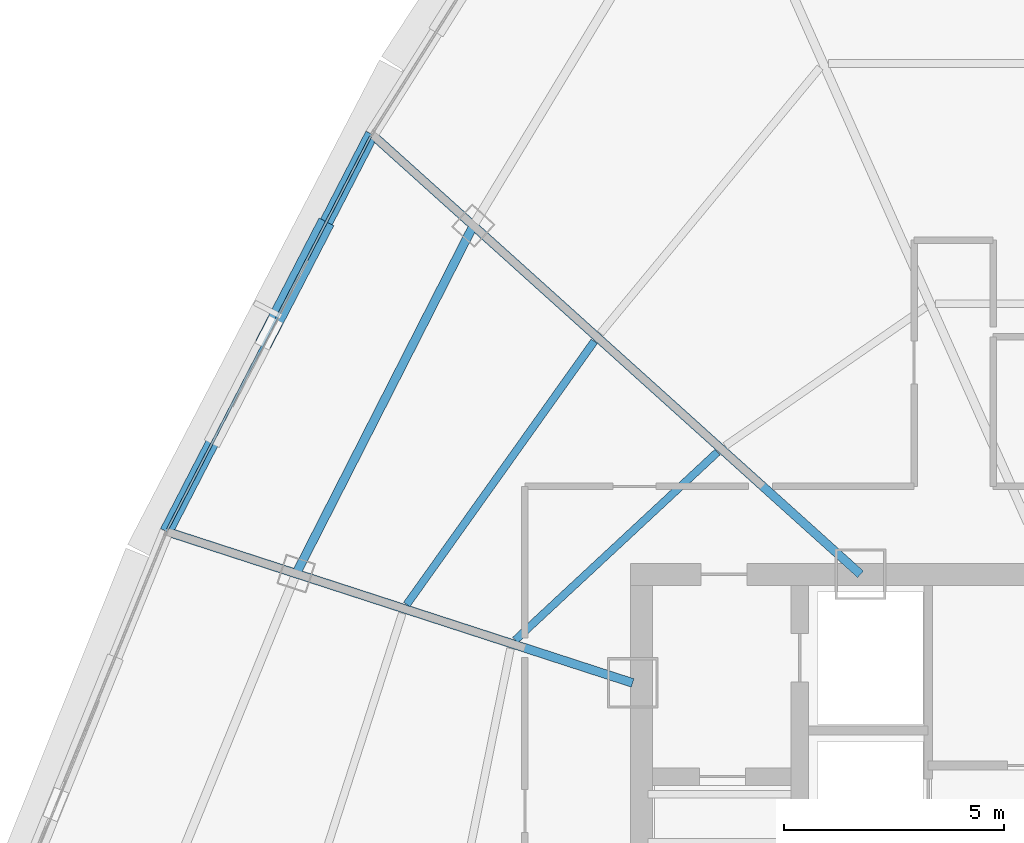
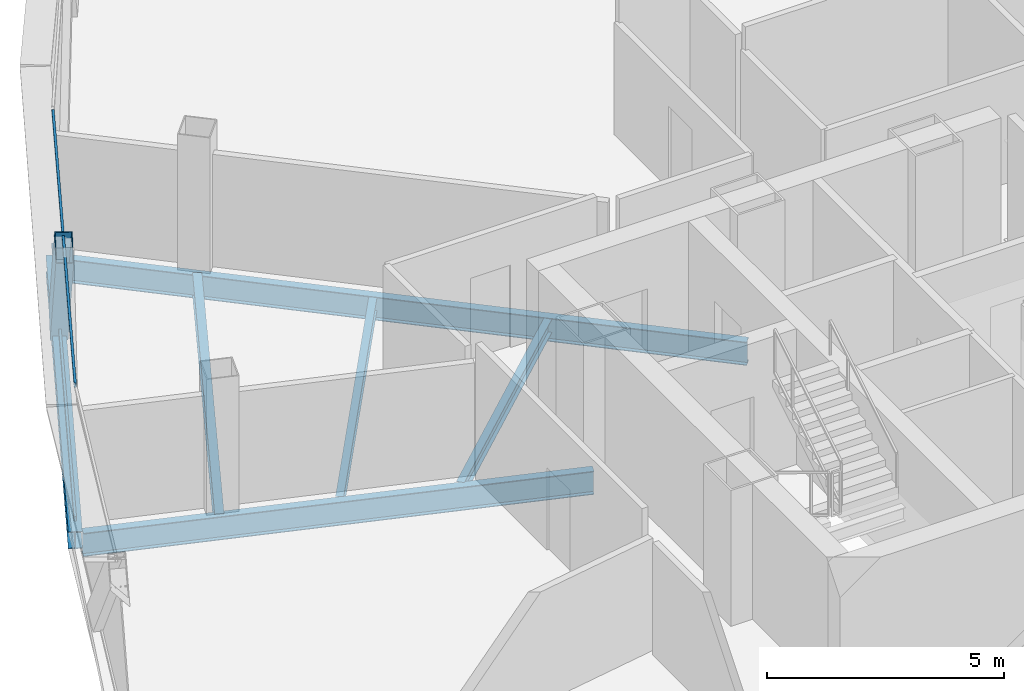
# One storey, part 8 of 26: 6 beams, 3 members, 1 element without a shape of its own.
"""IFC4 building model written with IfcOpenShell, lengths in metres."""

from ifc_helpers import new_model, si_unit, direction, frame, origin, origin_2d, place, context, subcontext, project, spatial, hollow_rectangle, i_section, extrude, source, transform, mapped, material, layer, layer_set, material_profile, profile_set, type_object, element, aggregate, save


model = new_model("IFC4")

# Units and contexts
model_context = context("Model", 3, precision=1e-05, world=origin(), true_north=direction((0.0, 1.0)))
body_context = subcontext(model_context, "Body", "Model", "MODEL_VIEW")
ifc_project = project(units=[si_unit("LENGTHUNIT", "METRE"), si_unit("AREAUNIT", "SQUARE_METRE"), si_unit("VOLUMEUNIT", "CUBIC_METRE"), si_unit("PLANEANGLEUNIT", "RADIAN"), si_unit("MASSUNIT", "GRAM", prefix="KILO"), si_unit("THERMODYNAMICTEMPERATUREUNIT", "KELVIN"), si_unit("POWERUNIT", "WATT")], contexts=[model_context])

# Site, building, storey
site_placement = place(None, origin())
site = spatial("IfcSite", under=ifc_project, at=site_placement, CompositionType="ELEMENT")
building_placement = place(site_placement, origin())
building = spatial("IfcBuilding", under=site, at=building_placement, Name="Yunzhuo Pagoda Commons", CompositionType="ELEMENT")
storey_placement = place(building_placement, frame((0.0, 0.0, 340.510009765625)))
storey = spatial("IfcBuildingStorey", under=building, at=storey_placement, Name="L85", CompositionType="ELEMENT", Elevation=340.510009765625)

# Beams
ifc_material_1 = material(Name="Structural steel Q355B", Category="steel")
ifc_material_profile_1 = material_profile(ifc_material_1, i_section(OverallWidth=0.199951171875, OverallDepth=0.60009765625, WebThickness=0.010986328125, FlangeThickness=0.01708984375, at=origin_2d()), Name="Structural steel Q355B")
ifc_profile_set_1 = profile_set([ifc_material_profile_1], Name="Structural steel Q355B")
beam_type_1 = type_object("IfcBeamType", Name="B-RG3 Beam HN 600x200x11x17", PredefinedType="BEAM", material=ifc_profile_set_1)
shared_shape_1 = source(origin(), body_context, "Body", "SweptSolid", [
    extrude(i_section(OverallWidth=0.199951171875, OverallDepth=0.60009765625, WebThickness=0.010986328125, FlangeThickness=0.01708984375, at=origin_2d()), origin(), (0.0, 0.0, 1.0), 8.87939453125),
])
beam_1_placement = place(storey_placement, frame((31.975341796875, 48.128662109375, -0.56005859375), z_axis=(-0.453723535687, -0.891142498798, 0.0), x_axis=(0.891142498798, -0.453723535687, 0.0)))
element("IfcBeam", 1, at=beam_1_placement, inside=storey, type_object=beam_type_1, Name="L85 column-ring beam 10", PredefinedType="BEAM", context=body_context, shape_type="MappedRepresentation", body=[
    mapped(shared_shape_1, transform((0.0, 0.0, 0.0), scale=1.0)),
])
ifc_material_profile_2 = material_profile(ifc_material_1, i_section(OverallWidth=0.175048828125, OverallDepth=0.35009765625, WebThickness=0.007080078125, FlangeThickness=0.010986328125, at=origin_2d()), Name="Structural steel Q355B")
ifc_profile_set_2 = profile_set([ifc_material_profile_2], Name="Structural steel Q355B")
beam_type_2 = type_object("IfcBeamType", Name="B-JS2 Joist HN 350x175x7x11", PredefinedType="JOIST", material=ifc_profile_set_2)
shared_shape_2 = source(origin(), body_context, "Body", "SweptSolid", [
    extrude(i_section(OverallWidth=0.175048828125, OverallDepth=0.35009765625, WebThickness=0.007080078125, FlangeThickness=0.010986328125, at=origin_2d()), origin(), (0.0, 0.0, 1.0), 6.277099609375),
])
beam_2_placement = place(storey_placement, frame((37.526611328125, 42.97607421875, -0.43505859375), z_axis=(-0.73244154109, -0.68082992655, 0.0), x_axis=(0.68082992655, -0.73244154109, 0.0)))
element("IfcBeam", 2, at=beam_2_placement, inside=storey, type_object=beam_type_2, Name="L85 composite ring joist 1.10", PredefinedType="JOIST", context=body_context, shape_type="MappedRepresentation", body=[
    mapped(shared_shape_2, transform((0.0, 0.0, 0.0), scale=1.0)),
])
shared_shape_3 = source(origin(), body_context, "Body", "SweptSolid", [
    extrude(i_section(OverallWidth=0.175048828125, OverallDepth=0.35009765625, WebThickness=0.007080078125, FlangeThickness=0.010986328125, at=origin_2d()), origin(), (0.0, 0.0, 1.0), 7.347900390625),
])
beam_3_placement = place(storey_placement, frame((34.726318359375, 45.497802734375, -0.43505859375), z_axis=(-0.580294898948, -0.814406428177, 0.0), x_axis=(0.814406428177, -0.580294898948, 0.0)))
element("IfcBeam", 3, at=beam_3_placement, inside=storey, type_object=beam_type_2, Name="L85 composite ring joist 2.10", PredefinedType="JOIST", context=body_context, shape_type="MappedRepresentation", body=[
    mapped(shared_shape_3, transform((0.0, 0.0, 0.0), scale=1.0)),
])
shared_shape_4 = source(origin(), body_context, "Body", "SweptSolid", [
    extrude(i_section(OverallWidth=0.199951171875, OverallDepth=0.60009765625, WebThickness=0.010986328125, FlangeThickness=0.01708984375, at=origin_2d()), origin(), (0.0, 0.0, 1.0), 10.99365234375),
])
beam_4_placement = place(storey_placement, frame((25.14453125, 41.126220703125, -0.56005859375), z_axis=(0.951056587506, -0.30901677521, 0.0), x_axis=(0.30901677521, 0.951056587506, 0.0)))
element("IfcBeam", 4, at=beam_4_placement, inside=storey, type_object=beam_type_1, Name="L85 radial floor girder F3C3", PredefinedType="BEAM", context=body_context, shape_type="MappedRepresentation", body=[
    mapped(shared_shape_4, transform((0.0, 0.0, 0.0), scale=1.0)),
])
shared_shape_5 = source(origin(), body_context, "Body", "SweptSolid", [
    extrude(i_section(OverallWidth=0.199951171875, OverallDepth=0.60009765625, WebThickness=0.010986328125, FlangeThickness=0.01708984375, at=origin_2d()), origin(), (0.0, 0.0, 1.0), 14.802001953125),
])
beam_5_placement = place(storey_placement, frame((29.781005859375, 50.1044921875, -0.56005859375), z_axis=(0.743141582684, -0.669134207828, 0.0), x_axis=(0.669134207828, 0.743141582684, 0.0)))
element("IfcBeam", 5, at=beam_5_placement, inside=storey, type_object=beam_type_1, Name="L85 radial floor girder F3C2", PredefinedType="BEAM", context=body_context, shape_type="MappedRepresentation", body=[
    mapped(shared_shape_5, transform((0.0, 0.0, 0.0), scale=1.0)),
])
ifc_material_profile_3 = material_profile(ifc_material_1, i_section(OverallWidth=0.300048828125, OverallDepth=0.43994140625, WebThickness=0.010986328125, FlangeThickness=0.01806640625, at=origin_2d()), Name="Structural steel Q355B")
ifc_profile_set_3 = profile_set([ifc_material_profile_3], Name="Structural steel Q355B")
beam_type_3 = type_object("IfcBeamType", Name="B-SP2 Beam HM 440x300x11x18", PredefinedType="BEAM", material=ifc_profile_set_3)
shared_shape_6 = source(origin(), body_context, "Body", "SweptSolid", [
    extrude(i_section(OverallWidth=0.300048828125, OverallDepth=0.43994140625, WebThickness=0.010986328125, FlangeThickness=0.01806640625, at=origin_2d()), origin(), (0.0, 0.0, 1.0), 10.169189453125),
])
beam_6_placement = place(storey_placement, frame((29.666015625, 50.2080078125, -0.47998046875), z_axis=(-0.459129639979, -0.888369277774, 0.0), x_axis=(0.888369277774, -0.459129639979, 0.0)))
element("IfcBeam", 6, at=beam_6_placement, inside=storey, type_object=beam_type_3, Name="L85 facade edge spandrel beam F3.2", PredefinedType="BEAM", context=body_context, shape_type="MappedRepresentation", body=[
    mapped(shared_shape_6, transform((0.0, 0.0, 0.0), scale=1.0)),
])

# Member
ifc_material_profile_4 = material_profile(ifc_material_1, hollow_rectangle(XDim=0.3798828125, YDim=0.719970703125, WallThickness=0.02001953125, at=origin_2d()), Name="Structural steel Q355B")
ifc_profile_set_4 = profile_set([ifc_material_profile_4], Name="Structural steel Q355B")
member_type_1 = type_object("IfcMemberType", Name="M-DL3 Brace BOX 720x380x20", PredefinedType="BRACE", material=ifc_profile_set_4)
shared_shape_7 = source(origin(), body_context, "Body", "SweptSolid", [
    extrude(hollow_rectangle(XDim=0.3798828125, YDim=0.719970703125, WallThickness=0.02001953125, at=origin_2d()), origin(), (0.0, 0.0, 1.0), 4.530517578125),
])
member_1_placement = place(storey_placement, frame((28.49853515625, 47.94970703125, -0.260009765625), z_axis=(-0.257585953682, -0.498520430441, 0.82772390137), x_axis=(0.88841350482, -0.459044055025, 0.0)))
element("IfcMember", 7, at=member_1_placement, inside=storey, type_object=member_type_1, Name="L85 facade diamond brace F3.2L", PredefinedType="BRACE", context=body_context, shape_type="MappedRepresentation", body=[
    mapped(shared_shape_7, transform((0.0, 0.0, 0.0), scale=1.0)),
])

# Curtain wall, members
ifc_material_2 = material(Name="Anodized aluminium 6063-T6", Category="aluminium")
ifc_layer = layer(ifc_material_2, 0.139892578125)
ifc_layer_set = layer_set([ifc_layer], Name="Anodized aluminium 6063-T6")
curtain_wall_type = type_object("IfcCurtainWallType", Name="CW-HI High-Zone Ribbon Curtain Wall", PredefinedType="NOTDEFINED", material=ifc_layer_set)
curtain_wall_placement = place(storey_placement, origin())
curtain_wall = element("IfcCurtainWall", 8, at=curtain_wall_placement, inside=storey, type_object=curtain_wall_type, Name="L85 curtain wall CW-L85-F3B3", PredefinedType="NOTDEFINED")
ifc_material_profile_5 = material_profile(ifc_material_2, hollow_rectangle(XDim=0.054931640625, YDim=0.1201171875, WallThickness=0.00341796875, at=origin_2d()), Name="Anodized aluminium 6063-T6")
ifc_profile_set_5 = profile_set([ifc_material_profile_5], Name="Anodized aluminium 6063-T6")
member_type_2 = type_object("IfcMemberType", Name="CW-HI-T Transom RHS 120x55x3.5", PredefinedType="USERDEFINED", material=ifc_profile_set_5)
shared_shape_8 = source(origin(), body_context, "Body", "SweptSolid", [
    extrude(hollow_rectangle(XDim=0.054931640625, YDim=0.1201171875, WallThickness=0.00341796875, at=origin_2d()), origin(), (0.0, 0.0, 1.0), 10.049072265625),
])
member_2_placement = place(storey_placement, frame((29.63818359375, 50.15478515625, 0.027587890625), z_axis=(-0.459097712328, -0.88838577799, 0.0), x_axis=(0.88838577799, -0.459097712328, 0.0)))
member_2 = element("IfcMember", 9, at=member_2_placement, type_object=member_type_2, Name="CW transom 1.1", ObjectType="TRANSOM", PredefinedType="USERDEFINED", context=body_context, shape_type="MappedRepresentation", body=[
    mapped(shared_shape_8, transform((0.0, 0.0, 0.0), scale=1.0)),
])
member_3_placement = place(storey_placement, frame((29.63818359375, 50.15478515625, 3.46240234375), z_axis=(-0.459097712328, -0.88838577799, 0.0), x_axis=(0.88838577799, -0.459097712328, 0.0)))
member_3 = element("IfcMember", 10, at=member_3_placement, type_object=member_type_2, Name="CW transom 1.2", ObjectType="TRANSOM", PredefinedType="USERDEFINED", context=body_context, shape_type="MappedRepresentation", body=[
    mapped(shared_shape_8, transform((0.0, 0.0, 0.0), scale=1.0)),
])
aggregate(curtain_wall, [member_2, member_3])

save(model, "model.ifc")
